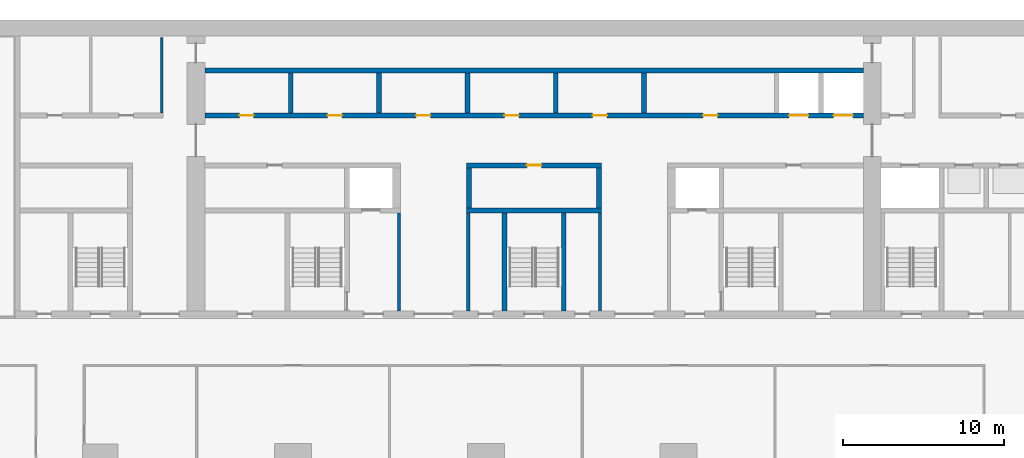
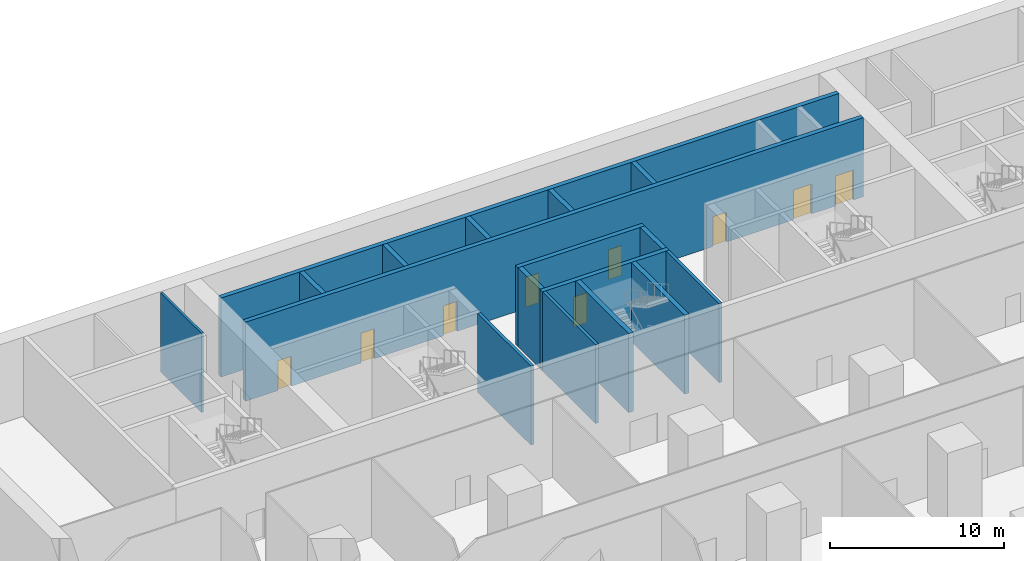
# One storey, part 4 of 10: 17 walls, 9 doors, 9 openings.
"""IFC4 building model written with IfcOpenShell, lengths in metres."""

from ifc_helpers import new_model, si_unit, direction, frame, frame_2d, origin, place, context, subcontext, project, spatial, rectangle, extrude, material, layer, layer_set, type_object, element, fill, save


model = new_model("IFC4")

# Units and contexts
model_context = context("Model", 3, precision=1e-05, world=origin(), true_north=direction((0.0, 1.0)))
body_context = subcontext(model_context, "Body", "Model", "MODEL_VIEW")
ifc_project = project(units=[si_unit("LENGTHUNIT", "METRE"), si_unit("AREAUNIT", "SQUARE_METRE"), si_unit("VOLUMEUNIT", "CUBIC_METRE"), si_unit("PLANEANGLEUNIT", "RADIAN"), si_unit("MASSUNIT", "GRAM", prefix="KILO")], contexts=[model_context])

# Site, building, storey
site_placement = place(None, origin())
site = spatial("IfcSite", under=ifc_project, at=site_placement, CompositionType="ELEMENT")
building_placement = place(site_placement, origin())
building = spatial("IfcBuilding", under=site, at=building_placement, Name="Calvaro Tower", CompositionType="ELEMENT")
storey_placement = place(building_placement, frame((0.0, 0.0, -6.0)))
storey = spatial("IfcBuildingStorey", under=building, at=storey_placement, Name="B1", CompositionType="ELEMENT", Elevation=-6.0)

# Walls
ifc_material_1 = material(Name="Blockwork partition", Category="masonry")
ifc_layer_1 = layer(ifc_material_1, 0.14990234375)
ifc_layer_set_1 = layer_set([ifc_layer_1], Name="Blockwork partition")
wall_type_1 = type_object("IfcWallType", Name="Core partition 150 REI 120", PredefinedType="PARTITIONING", material=ifc_layer_set_1)
wall_1_placement = place(storey_placement, frame((15.824951171875, 40.699951171875, 0.0), z_axis=(0.0, 0.0, 1.0), x_axis=(0.0, 1.0, 0.0)))
element("IfcWall", 1, at=wall_1_placement, inside=storey, type_object=wall_type_1, Name="Core partition", PredefinedType="PARTITIONING", context=body_context, shape_type="SweptSolid", body=[
    extrude(rectangle(XDim=4.699951171875, YDim=0.14990234375, at=frame_2d((2.35009765625, 0.0))), origin(), (0.0, 0.0, 1.0), 5.550048828125),
])
ifc_material_2 = material(Name="Blockwork partition", Category="masonry")
ifc_layer_2 = layer(ifc_material_2, 0.199951171875)
ifc_layer_set_2 = layer_set([ifc_layer_2], Name="Blockwork partition")
wall_type_2 = type_object("IfcWallType", Name="Core partition 200 REI 120", PredefinedType="PARTITIONING", material=ifc_layer_set_2)
for number, where, z_axis, x_axis, name in (
    (2, (30.60009765625, 28.39990234375, 0.0), (0.0, 0.0, 1.0), (0.0, 1.0, 0.0), "Core partition"),
    (3, (34.89990234375, 28.39990234375, 0.0), (0.0, 0.0, 1.0), (0.0, 1.0, 0.0), "Core partition"),
    (4, (43.10009765625, 28.39990234375, 0.0), (0.0, 0.0, 1.0), (0.0, 1.0, 0.0), "Core partition"),
):
    element("IfcWall", number, at=place(storey_placement, frame(where, z_axis=z_axis, x_axis=x_axis)), inside=storey, type_object=wall_type_2, Name=name, PredefinedType="PARTITIONING", context=body_context, shape_type="SweptSolid", body=[
        extrude(rectangle(XDim=6.10009765625, YDim=0.199951171875, at=frame_2d((3.050048828125, 0.0))), origin(), (0.0, 0.0, 1.0), 5.550048828125),
    ])
ifc_material_3 = material(Name="Blockwork partition", Category="masonry")
ifc_layer_3 = layer(ifc_material_3, 0.300048828125)
ifc_layer_set_3 = layer_set([ifc_layer_3], Name="Blockwork partition")
wall_type_3 = type_object("IfcWallType", Name="Core partition 300 REI 120", PredefinedType="PARTITIONING", material=ifc_layer_set_3)
for number, where, z_axis, x_axis, name in (
    (5, (23.85009765625, 40.699951171875, 0.0), (0.0, 0.0, 1.0), (0.0, 1.0, 0.0), "Core partition"),
    (6, (29.35009765625, 40.699951171875, 0.0), (0.0, 0.0, 1.0), (0.0, 1.0, 0.0), "Core partition"),
    (7, (34.85009765625, 40.699951171875, 0.0), (0.0, 0.0, 1.0), (0.0, 1.0, 0.0), "Core partition"),
    (8, (40.35009765625, 40.699951171875, 0.0), (0.0, 0.0, 1.0), (0.0, 1.0, 0.0), "Core partition"),
    (9, (45.85009765625, 40.699951171875, 0.0), (0.0, 0.0, 1.0), (0.0, 1.0, 0.0), "Core partition"),
):
    element("IfcWall", number, at=place(storey_placement, frame(where, z_axis=z_axis, x_axis=x_axis)), inside=storey, type_object=wall_type_3, Name=name, PredefinedType="PARTITIONING", context=body_context, shape_type="SweptSolid", body=[
        extrude(rectangle(XDim=2.5, YDim=0.300048828125, at=frame_2d((1.25, 0.0))), origin(), (0.0, 0.0, 1.0), 5.550048828125),
    ])
ifc_material_4 = material(Name="Concrete C80/95", Category="concrete")
ifc_layer_4 = layer(ifc_material_4, 0.300048828125)
ifc_layer_set_4 = layer_set([ifc_layer_4], Name="Concrete C80/95")
wall_type_4 = type_object("IfcWallType", Name="Core wall C80/95 300", PredefinedType="SHEAR", material=ifc_layer_set_4)
for number, where, z_axis, x_axis, name in (
    (10, (37.14990234375, 28.39990234375, 0.0), (0.0, 0.0, 1.0), (0.0, 1.0, 0.0), "Core wall, stair enclosure"),
    (11, (40.85009765625, 28.39990234375, 0.0), (0.0, 0.0, 1.0), (0.0, 1.0, 0.0), "Core wall, stair enclosure"),
):
    element("IfcWall", number, at=place(storey_placement, frame(where, z_axis=z_axis, x_axis=x_axis)), inside=storey, type_object=wall_type_4, Name=name, PredefinedType="SHEAR", context=body_context, shape_type="SweptSolid", body=[
        extrude(rectangle(XDim=6.10009765625, YDim=0.300048828125, at=frame_2d((3.050048828125, 0.0))), origin(), (0.0, 0.0, 1.0), 5.550048828125),
    ])
wall_2_placement = place(storey_placement, frame((34.800048828125, 34.64990234375, 0.0), z_axis=(0.0, 0.0, 1.0), x_axis=(1.0, 0.0, 0.0)))
element("IfcWall", 12, at=wall_2_placement, inside=storey, type_object=wall_type_4, Name="Core wall, lift shaft", PredefinedType="SHEAR", context=body_context, shape_type="SweptSolid", body=[
    extrude(rectangle(XDim=8.39990234375, YDim=0.300048828125, at=frame_2d((4.199951171875, 0.0))), origin(), (0.0, 0.0, 1.0), 5.550048828125),
])

# Wall, opening, door
wall_3_placement = place(storey_placement, frame((43.199951171875, 37.449951171875, 0.0), z_axis=(0.0, 0.0, 1.0), x_axis=(-1.0, 0.0, 0.0)))
wall_3 = element("IfcWall", 13, at=wall_3_placement, inside=storey, type_object=wall_type_4, Name="Core wall, bay", PredefinedType="SHEAR", context=body_context, shape_type="SweptSolid", body=[
    extrude(rectangle(XDim=8.39990234375, YDim=0.300048828125, at=frame_2d((4.199951171875, 0.0))), origin(), (0.0, 0.0, 1.0), 5.550048828125),
])
opening_1_placement = place(wall_3_placement, frame((3.75, 0.0, 0.0)))
opening_1 = element("IfcOpeningElement", 14, at=opening_1_placement, cuts=wall_3, Name="Opening RD9E", PredefinedType="OPENING", context=body_context, shape_type="SweptSolid", body=[
    extrude(rectangle(XDim=0.89990234375, YDim=2.10009765625, at=frame_2d((0.449951171875, 1.050048828125))), frame((0.0, 0.159912109375, 0.0), z_axis=(0.0, -1.0, 0.0), x_axis=(1.0, 0.0, 0.0)), (0.0, 0.0, 1.0), 0.320068359375),
])
ifc_material_5 = material(Name="Steel door set", Category="steel")
door_type_1 = type_object("IfcDoorType", Name="Room door 900 FD60", OperationType="SINGLE_SWING_LEFT", PredefinedType="DOOR", material=ifc_material_5)
door_1_placement = place(opening_1_placement, origin())
door_1 = element("IfcDoor", 15, at=door_1_placement, inside=storey, type_object=door_type_1, Name="Room door", OperationType="SINGLE_SWING_RIGHT", OverallHeight=2.10009765625, OverallWidth=0.89990234375, PredefinedType="DOOR", context=body_context, shape_type="SweptSolid", body=[
    extrude(rectangle(XDim=0.89990234375, YDim=2.10009765625, at=frame_2d((0.449951171875, 1.050048828125))), frame((0.0, 0.02490234375, 0.0), z_axis=(0.0, -1.0, 0.0), x_axis=(1.0, 0.0, 0.0)), (0.0, 0.0, 1.0), 0.050048828125),
])
fill(opening_1, door_1)

# Walls
for number, where, z_axis, x_axis, name in (
    (16, (34.949951171875, 34.800048828125, 0.0), (0.0, 0.0, 1.0), (0.0, 1.0, 0.0), "Core wall, lift shaft"),
    (17, (43.050048828125, 34.800048828125, 0.0), (0.0, 0.0, 1.0), (0.0, 1.0, 0.0), "Core wall, lift shaft"),
):
    element("IfcWall", number, at=place(storey_placement, frame(where, z_axis=z_axis, x_axis=x_axis)), inside=storey, type_object=wall_type_4, Name=name, PredefinedType="SHEAR", context=body_context, shape_type="SweptSolid", body=[
        extrude(rectangle(XDim=2.5, YDim=0.300048828125, at=frame_2d((1.25, 0.0))), origin(), (0.0, 0.0, 1.0), 5.550048828125),
    ])

# Wall, openings, doors
wall_4_placement = place(storey_placement, frame((18.5, 40.550048828125, 0.0), z_axis=(0.0, 0.0, 1.0), x_axis=(1.0, 0.0, 0.0)))
wall_4 = element("IfcWall", 18, at=wall_4_placement, inside=storey, type_object=wall_type_4, Name="Core wall, bay", PredefinedType="SHEAR", context=body_context, shape_type="SweptSolid", body=[
    extrude(rectangle(XDim=41.0, YDim=0.300048828125, at=frame_2d((20.5, 0.0))), origin(), (0.0, 0.0, 1.0), 5.550048828125),
])
opening_2_placement = place(wall_4_placement, frame((2.14990234375, 0.0, 0.0)))
opening_2 = element("IfcOpeningElement", 19, at=opening_2_placement, cuts=wall_4, Name="Opening RD9E", PredefinedType="OPENING", context=body_context, shape_type="SweptSolid", body=[
    extrude(rectangle(XDim=0.89990234375, YDim=2.10009765625, at=frame_2d((0.449951171875, 1.050048828125))), frame((0.0, 0.159912109375, 0.0), z_axis=(0.0, -1.0, 0.0), x_axis=(1.0, 0.0, 0.0)), (0.0, 0.0, 1.0), 0.320068359375),
])
opening_3_placement = place(wall_4_placement, frame((7.64990234375, 0.0, 0.0)))
opening_3 = element("IfcOpeningElement", 20, at=opening_3_placement, cuts=wall_4, Name="Opening RD9E", PredefinedType="OPENING", context=body_context, shape_type="SweptSolid", body=[
    extrude(rectangle(XDim=0.89990234375, YDim=2.10009765625, at=frame_2d((0.449951171875, 1.050048828125))), frame((0.0, 0.159912109375, 0.0), z_axis=(0.0, -1.0, 0.0), x_axis=(1.0, 0.0, 0.0)), (0.0, 0.0, 1.0), 0.320068359375),
])
opening_4_placement = place(wall_4_placement, frame((13.14990234375, 0.0, 0.0)))
opening_4 = element("IfcOpeningElement", 21, at=opening_4_placement, cuts=wall_4, Name="Opening RD9E", PredefinedType="OPENING", context=body_context, shape_type="SweptSolid", body=[
    extrude(rectangle(XDim=0.89990234375, YDim=2.10009765625, at=frame_2d((0.449951171875, 1.050048828125))), frame((0.0, 0.159912109375, 0.0), z_axis=(0.0, -1.0, 0.0), x_axis=(1.0, 0.0, 0.0)), (0.0, 0.0, 1.0), 0.320068359375),
])
opening_5_placement = place(wall_4_placement, frame((18.64990234375, 0.0, 0.0)))
opening_5 = element("IfcOpeningElement", 22, at=opening_5_placement, cuts=wall_4, Name="Opening RD9E", PredefinedType="OPENING", context=body_context, shape_type="SweptSolid", body=[
    extrude(rectangle(XDim=0.89990234375, YDim=2.10009765625, at=frame_2d((0.449951171875, 1.050048828125))), frame((0.0, 0.159912109375, 0.0), z_axis=(0.0, -1.0, 0.0), x_axis=(1.0, 0.0, 0.0)), (0.0, 0.0, 1.0), 0.320068359375),
])
opening_6_placement = place(wall_4_placement, frame((24.14990234375, 0.0, 0.0)))
opening_6 = element("IfcOpeningElement", 23, at=opening_6_placement, cuts=wall_4, Name="Opening RD9E", PredefinedType="OPENING", context=body_context, shape_type="SweptSolid", body=[
    extrude(rectangle(XDim=0.89990234375, YDim=2.10009765625, at=frame_2d((0.449951171875, 1.050048828125))), frame((0.0, 0.159912109375, 0.0), z_axis=(0.0, -1.0, 0.0), x_axis=(1.0, 0.0, 0.0)), (0.0, 0.0, 1.0), 0.320068359375),
])
opening_7_placement = place(wall_4_placement, frame((31.02490234375, 0.0, 0.0)))
opening_7 = element("IfcOpeningElement", 24, at=opening_7_placement, cuts=wall_4, Name="Opening RD9E", PredefinedType="OPENING", context=body_context, shape_type="SweptSolid", body=[
    extrude(rectangle(XDim=0.89990234375, YDim=2.10009765625, at=frame_2d((0.449951171875, 1.050048828125))), frame((0.0, 0.159912109375, 0.0), z_axis=(0.0, -1.0, 0.0), x_axis=(1.0, 0.0, 0.0)), (0.0, 0.0, 1.0), 0.320068359375),
])
opening_8_placement = place(wall_4_placement, frame((36.375, 0.0, 0.0)))
opening_8 = element("IfcOpeningElement", 25, at=opening_8_placement, cuts=wall_4, Name="Opening SV1", PredefinedType="OPENING", context=body_context, shape_type="SweptSolid", body=[
    extrude(rectangle(XDim=1.199951171875, YDim=2.10009765625, at=frame_2d((0.60009765625, 1.050048828125))), frame((0.0, 0.159912109375, 0.0), z_axis=(0.0, -1.0, 0.0), x_axis=(1.0, 0.0, 0.0)), (0.0, 0.0, 1.0), 0.320068359375),
])
opening_9_placement = place(wall_4_placement, frame((39.14990234375, 0.0, 0.0)))
opening_9 = element("IfcOpeningElement", 26, at=opening_9_placement, cuts=wall_4, Name="Opening SV2", PredefinedType="OPENING", context=body_context, shape_type="SweptSolid", body=[
    extrude(rectangle(XDim=1.199951171875, YDim=2.10009765625, at=frame_2d((0.60009765625, 1.050048828125))), frame((0.0, 0.159912109375, 0.0), z_axis=(0.0, -1.0, 0.0), x_axis=(1.0, 0.0, 0.0)), (0.0, 0.0, 1.0), 0.320068359375),
])
ifc_material_6 = material(Name="Stainless steel", Category="steel")
door_type_2 = type_object("IfcDoorType", Name="Landing door 1200 E 60", OperationType="SLIDING_TO_LEFT", PredefinedType="DOOR", material=ifc_material_6)
door_2_placement = place(opening_8_placement, origin())
door_2 = element("IfcDoor", 27, at=door_2_placement, inside=storey, type_object=door_type_2, Name="Landing door SV1", OperationType="SLIDING_TO_LEFT", OverallHeight=2.10009765625, OverallWidth=1.199951171875, PredefinedType="DOOR", context=body_context, shape_type="SweptSolid", body=[
    extrude(rectangle(XDim=1.199951171875, YDim=2.10009765625, at=frame_2d((0.60009765625, 1.050048828125))), frame((0.0, 0.02490234375, 0.0), z_axis=(0.0, -1.0, 0.0), x_axis=(1.0, 0.0, 0.0)), (0.0, 0.0, 1.0), 0.050048828125),
])
fill(opening_8, door_2)
door_3_placement = place(opening_9_placement, origin())
door_3 = element("IfcDoor", 28, at=door_3_placement, inside=storey, type_object=door_type_2, Name="Landing door SV2", OperationType="SLIDING_TO_LEFT", OverallHeight=2.10009765625, OverallWidth=1.199951171875, PredefinedType="DOOR", context=body_context, shape_type="SweptSolid", body=[
    extrude(rectangle(XDim=1.199951171875, YDim=2.10009765625, at=frame_2d((0.60009765625, 1.050048828125))), frame((0.0, 0.02490234375, 0.0), z_axis=(0.0, -1.0, 0.0), x_axis=(1.0, 0.0, 0.0)), (0.0, 0.0, 1.0), 0.050048828125),
])
fill(opening_9, door_3)
door_4_placement = place(opening_2_placement, origin())
door_4 = element("IfcDoor", 29, at=door_4_placement, inside=storey, type_object=door_type_1, Name="Room door", OperationType="SINGLE_SWING_RIGHT", OverallHeight=2.10009765625, OverallWidth=0.89990234375, PredefinedType="DOOR", context=body_context, shape_type="SweptSolid", body=[
    extrude(rectangle(XDim=0.89990234375, YDim=2.10009765625, at=frame_2d((0.449951171875, 1.050048828125))), frame((0.0, 0.02490234375, 0.0), z_axis=(0.0, -1.0, 0.0), x_axis=(1.0, 0.0, 0.0)), (0.0, 0.0, 1.0), 0.050048828125),
])
fill(opening_2, door_4)
door_5_placement = place(opening_3_placement, origin())
door_5 = element("IfcDoor", 30, at=door_5_placement, inside=storey, type_object=door_type_1, Name="Room door", OperationType="SINGLE_SWING_RIGHT", OverallHeight=2.10009765625, OverallWidth=0.89990234375, PredefinedType="DOOR", context=body_context, shape_type="SweptSolid", body=[
    extrude(rectangle(XDim=0.89990234375, YDim=2.10009765625, at=frame_2d((0.449951171875, 1.050048828125))), frame((0.0, 0.02490234375, 0.0), z_axis=(0.0, -1.0, 0.0), x_axis=(1.0, 0.0, 0.0)), (0.0, 0.0, 1.0), 0.050048828125),
])
fill(opening_3, door_5)
door_6_placement = place(opening_4_placement, origin())
door_6 = element("IfcDoor", 31, at=door_6_placement, inside=storey, type_object=door_type_1, Name="Room door", OperationType="SINGLE_SWING_LEFT", OverallHeight=2.10009765625, OverallWidth=0.89990234375, PredefinedType="DOOR", context=body_context, shape_type="SweptSolid", body=[
    extrude(rectangle(XDim=0.89990234375, YDim=2.10009765625, at=frame_2d((0.449951171875, 1.050048828125))), frame((0.0, 0.02490234375, 0.0), z_axis=(0.0, -1.0, 0.0), x_axis=(1.0, 0.0, 0.0)), (0.0, 0.0, 1.0), 0.050048828125),
])
fill(opening_4, door_6)
door_7_placement = place(opening_5_placement, origin())
door_7 = element("IfcDoor", 32, at=door_7_placement, inside=storey, type_object=door_type_1, Name="Room door", OperationType="SINGLE_SWING_LEFT", OverallHeight=2.10009765625, OverallWidth=0.89990234375, PredefinedType="DOOR", context=body_context, shape_type="SweptSolid", body=[
    extrude(rectangle(XDim=0.89990234375, YDim=2.10009765625, at=frame_2d((0.449951171875, 1.050048828125))), frame((0.0, 0.02490234375, 0.0), z_axis=(0.0, -1.0, 0.0), x_axis=(1.0, 0.0, 0.0)), (0.0, 0.0, 1.0), 0.050048828125),
])
fill(opening_5, door_7)
door_8_placement = place(opening_6_placement, origin())
door_8 = element("IfcDoor", 33, at=door_8_placement, inside=storey, type_object=door_type_1, Name="Room door", OperationType="SINGLE_SWING_LEFT", OverallHeight=2.10009765625, OverallWidth=0.89990234375, PredefinedType="DOOR", context=body_context, shape_type="SweptSolid", body=[
    extrude(rectangle(XDim=0.89990234375, YDim=2.10009765625, at=frame_2d((0.449951171875, 1.050048828125))), frame((0.0, 0.02490234375, 0.0), z_axis=(0.0, -1.0, 0.0), x_axis=(1.0, 0.0, 0.0)), (0.0, 0.0, 1.0), 0.050048828125),
])
fill(opening_6, door_8)
door_9_placement = place(opening_7_placement, origin())
door_9 = element("IfcDoor", 34, at=door_9_placement, inside=storey, type_object=door_type_1, Name="Room door", OperationType="SINGLE_SWING_LEFT", OverallHeight=2.10009765625, OverallWidth=0.89990234375, PredefinedType="DOOR", context=body_context, shape_type="SweptSolid", body=[
    extrude(rectangle(XDim=0.89990234375, YDim=2.10009765625, at=frame_2d((0.449951171875, 1.050048828125))), frame((0.0, 0.02490234375, 0.0), z_axis=(0.0, -1.0, 0.0), x_axis=(1.0, 0.0, 0.0)), (0.0, 0.0, 1.0), 0.050048828125),
])
fill(opening_7, door_9)

# Wall
wall_5_placement = place(storey_placement, frame((18.5, 43.35009765625, 0.0), z_axis=(0.0, 0.0, 1.0), x_axis=(1.0, 0.0, 0.0)))
element("IfcWall", 35, at=wall_5_placement, inside=storey, type_object=wall_type_4, Name="Core wall, lift shaft", PredefinedType="SHEAR", context=body_context, shape_type="SweptSolid", body=[
    extrude(rectangle(XDim=41.0, YDim=0.300048828125, at=frame_2d((20.5, 0.0))), origin(), (0.0, 0.0, 1.0), 5.550048828125),
])

save(model, "model.ifc")
